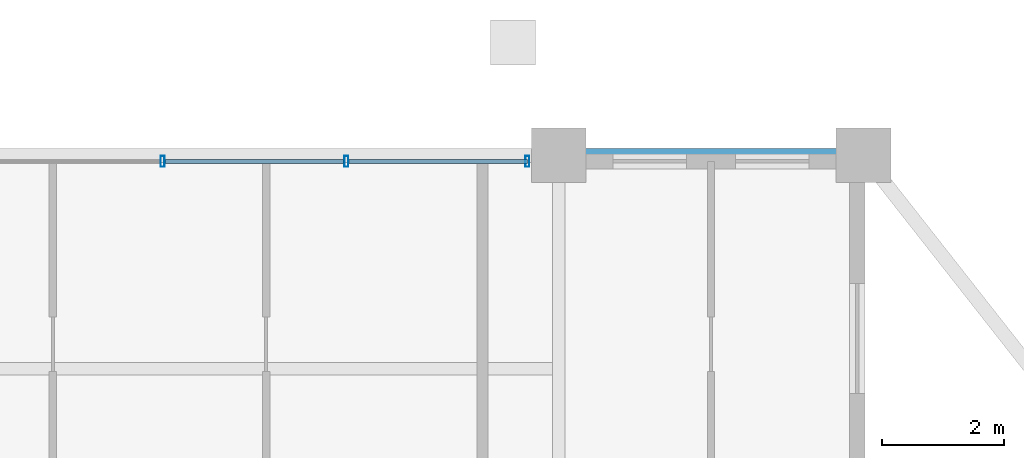
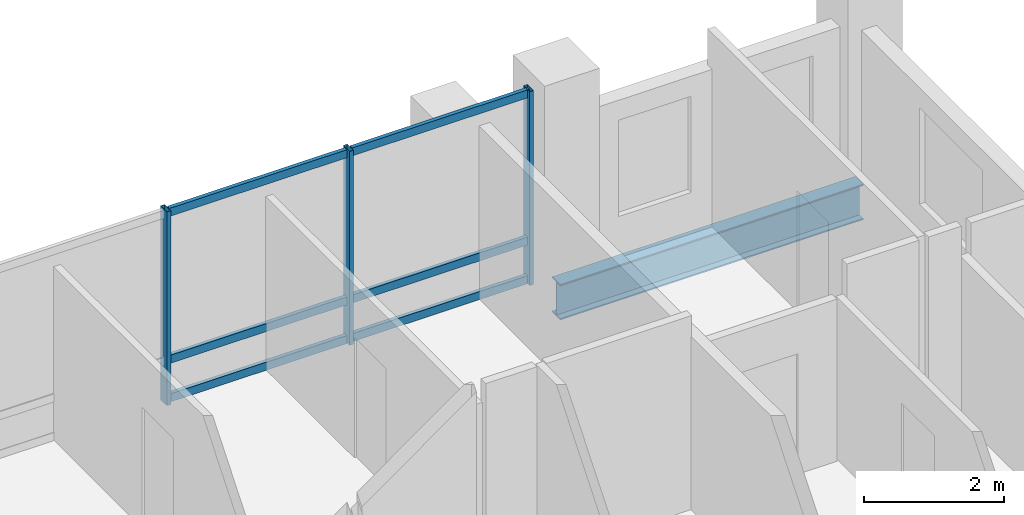
# One storey, part 14 of 21: 9 members, 1 beam, 1 element without a shape of its own.
"""IFC4 building model written with IfcOpenShell, lengths in metres."""

from ifc_helpers import new_model, si_unit, direction, frame, origin, origin_2d, place, context, subcontext, project, spatial, hollow_rectangle, i_section, extrude, material, layer, layer_set, material_profile, profile_set, type_object, element, aggregate, save


model = new_model("IFC4")

# Units and contexts
model_context = context("Model", 3, precision=1e-05, world=origin(), true_north=direction((0.0, 1.0)))
body_context = subcontext(model_context, "Body", "Model", "MODEL_VIEW")
ifc_project = project(units=[si_unit("LENGTHUNIT", "METRE"), si_unit("AREAUNIT", "SQUARE_METRE"), si_unit("VOLUMEUNIT", "CUBIC_METRE"), si_unit("PLANEANGLEUNIT", "RADIAN"), si_unit("MASSUNIT", "GRAM", prefix="KILO")], contexts=[model_context])

# Site, building, storey
site_placement = place(None, origin())
site = spatial("IfcSite", under=ifc_project, at=site_placement, CompositionType="ELEMENT")
building_placement = place(site_placement, origin())
building = spatial("IfcBuilding", under=site, at=building_placement, Name="Barlavira Tower and Art Museum", CompositionType="ELEMENT")
storey_placement = place(building_placement, frame((0.0, 0.0, 276.300048828125)))
storey = spatial("IfcBuildingStorey", under=building, at=storey_placement, Name="L72", CompositionType="ELEMENT", Elevation=276.300048828125)

# Curtain wall, members
ifc_material_1 = material(Name="Low-iron coastal laminated glass", Category="glass")
ifc_layer = layer(ifc_material_1, 0.2099609375, Name="Low-iron coastal laminated glass")
ifc_layer_set = layer_set([ifc_layer], Name="Low-iron coastal laminated glass")
curtain_wall_type = type_object("IfcCurtainWallType", Name="Pale-Metal Unitised Curtain Wall Zone 4", PredefinedType="NOTDEFINED", material=ifc_layer_set)
curtain_wall_placement = place(storey_placement, origin())
curtain_wall = element("IfcCurtainWall", 1, at=curtain_wall_placement, inside=storey, type_object=curtain_wall_type, Name="L72 Curtain Wall CW4-L72-N-B2", PredefinedType="NOTDEFINED")
ifc_material_2 = material(Name="Pale anodised aluminium", Category="aluminium")
ifc_material_profile_1 = material_profile(ifc_material_2, hollow_rectangle(XDim=0.06494140625, YDim=0.179931640625, WallThickness=0.00390625, at=origin_2d()), Name="ALU-MULL 65x180x4")
ifc_profile_set_1 = profile_set([ifc_material_profile_1], Name="Pale anodised aluminium")
member_type_1 = type_object("IfcMemberType", Name="Curtain Wall Pale-Metal Mullion 65x180", PredefinedType="MULLION", material=ifc_profile_set_1)
member_1_placement = place(storey_placement, frame((5.985107421875, 19.89990234375, 0.0), z_axis=(0.0, 0.0, 1.0), x_axis=(-1.0, 0.0, 0.0)))
member_1 = element("IfcMember", 2, at=member_1_placement, type_object=member_type_1, Name="CW4-L72-N-B2 Mullion 0", PredefinedType="MULLION", context=body_context, shape_type="SweptSolid", body=[
    extrude(hollow_rectangle(XDim=0.06494140625, YDim=0.179931640625, WallThickness=0.00390625, at=origin_2d()), origin(), (0.0, 0.0, 1.0), 3.3798828125),
])
member_2_placement = place(storey_placement, frame((3.014892578125, 19.89990234375, 0.0), z_axis=(0.0, 0.0, 1.0), x_axis=(-1.0, 0.0, 0.0)))
member_2 = element("IfcMember", 3, at=member_2_placement, type_object=member_type_1, Name="CW4-L72-N-B2 Mullion 1", PredefinedType="MULLION", context=body_context, shape_type="SweptSolid", body=[
    extrude(hollow_rectangle(XDim=0.06494140625, YDim=0.179931640625, WallThickness=0.00390625, at=origin_2d()), origin(), (0.0, 0.0, 1.0), 3.3798828125),
])
member_3_placement = place(storey_placement, frame((0.0, 19.89990234375, 0.0), z_axis=(0.0, 0.0, 1.0), x_axis=(-1.0, 0.0, 0.0)))
member_3 = element("IfcMember", 4, at=member_3_placement, type_object=member_type_1, Name="CW4-L72-N-B2 Mullion 2", PredefinedType="MULLION", context=body_context, shape_type="SweptSolid", body=[
    extrude(hollow_rectangle(XDim=0.06494140625, YDim=0.179931640625, WallThickness=0.00390625, at=origin_2d()), origin(), (0.0, 0.0, 1.0), 3.3798828125),
])
ifc_material_profile_2 = material_profile(ifc_material_2, hollow_rectangle(XDim=0.06494140625, YDim=0.139892578125, WallThickness=0.00390625, at=origin_2d()), Name="ALU-TRAN 65x140x4")
ifc_profile_set_2 = profile_set([ifc_material_profile_2], Name="Pale anodised aluminium")
member_type_2 = type_object("IfcMemberType", Name="Curtain Wall Pale-Metal Transom 65x140", PredefinedType="USERDEFINED", material=ifc_profile_set_2)
member_4_placement = place(storey_placement, frame((5.985107421875, 19.89990234375, 0.070068359375), z_axis=(-1.0, 0.0, 0.0), x_axis=(0.0, -1.0, 0.0)))
member_4 = element("IfcMember", 5, at=member_4_placement, type_object=member_type_2, Name="CW4-L72-N-B2 Transom 0.1", ObjectType="TRANSOM", PredefinedType="USERDEFINED", context=body_context, shape_type="SweptSolid", body=[
    extrude(hollow_rectangle(XDim=0.06494140625, YDim=0.139892578125, WallThickness=0.00390625, at=origin_2d()), origin(), (0.0, 0.0, 1.0), 2.925048828125),
])
member_5_placement = place(storey_placement, frame((5.985107421875, 19.89990234375, 0.743896484375), z_axis=(-1.0, 0.0, 0.0), x_axis=(0.0, -1.0, 0.0)))
member_5 = element("IfcMember", 6, at=member_5_placement, type_object=member_type_2, Name="CW4-L72-N-B2 Transom 0.2", ObjectType="TRANSOM", PredefinedType="USERDEFINED", context=body_context, shape_type="SweptSolid", body=[
    extrude(hollow_rectangle(XDim=0.06494140625, YDim=0.139892578125, WallThickness=0.00390625, at=origin_2d()), origin(), (0.0, 0.0, 1.0), 2.925048828125),
])
member_6_placement = place(storey_placement, frame((5.985107421875, 19.89990234375, 3.31005859375), z_axis=(-1.0, 0.0, 0.0), x_axis=(0.0, -1.0, 0.0)))
member_6 = element("IfcMember", 7, at=member_6_placement, type_object=member_type_2, Name="CW4-L72-N-B2 Transom 0.3", ObjectType="TRANSOM", PredefinedType="USERDEFINED", context=body_context, shape_type="SweptSolid", body=[
    extrude(hollow_rectangle(XDim=0.06494140625, YDim=0.139892578125, WallThickness=0.00390625, at=origin_2d()), origin(), (0.0, 0.0, 1.0), 2.925048828125),
])
member_7_placement = place(storey_placement, frame((2.969970703125, 19.89990234375, 0.070068359375), z_axis=(-1.0, 0.0, 0.0), x_axis=(0.0, -1.0, 0.0)))
member_7 = element("IfcMember", 8, at=member_7_placement, type_object=member_type_2, Name="CW4-L72-N-B2 Transom 1.1", ObjectType="TRANSOM", PredefinedType="USERDEFINED", context=body_context, shape_type="SweptSolid", body=[
    extrude(hollow_rectangle(XDim=0.06494140625, YDim=0.139892578125, WallThickness=0.00390625, at=origin_2d()), origin(), (0.0, 0.0, 1.0), 2.925048828125),
])
member_8_placement = place(storey_placement, frame((2.969970703125, 19.89990234375, 0.743896484375), z_axis=(-1.0, 0.0, 0.0), x_axis=(0.0, -1.0, 0.0)))
member_8 = element("IfcMember", 9, at=member_8_placement, type_object=member_type_2, Name="CW4-L72-N-B2 Transom 1.2", ObjectType="TRANSOM", PredefinedType="USERDEFINED", context=body_context, shape_type="SweptSolid", body=[
    extrude(hollow_rectangle(XDim=0.06494140625, YDim=0.139892578125, WallThickness=0.00390625, at=origin_2d()), origin(), (0.0, 0.0, 1.0), 2.925048828125),
])
member_9_placement = place(storey_placement, frame((2.969970703125, 19.89990234375, 3.31005859375), z_axis=(-1.0, 0.0, 0.0), x_axis=(0.0, -1.0, 0.0)))
member_9 = element("IfcMember", 10, at=member_9_placement, type_object=member_type_2, Name="CW4-L72-N-B2 Transom 1.3", ObjectType="TRANSOM", PredefinedType="USERDEFINED", context=body_context, shape_type="SweptSolid", body=[
    extrude(hollow_rectangle(XDim=0.06494140625, YDim=0.139892578125, WallThickness=0.00390625, at=origin_2d()), origin(), (0.0, 0.0, 1.0), 2.925048828125),
])
aggregate(curtain_wall, [member_1, member_2, member_3, member_4, member_5, member_6, member_7, member_8, member_9])

# Beam
ifc_material_3 = material(Name="Steel S355", Category="steel")
ifc_material_profile_3 = material_profile(ifc_material_3, i_section(OverallWidth=0.22998046875, OverallDepth=0.616943359375, WebThickness=0.01318359375, FlangeThickness=0.022216796875, at=origin_2d()), Name="W610x140.0")
ifc_profile_set_3 = profile_set([ifc_material_profile_3], Name="Steel S355")
beam_type = type_object("IfcBeamType", Name="Upper Shaft Spandrel Edge Beam W610x140 Steel S355", PredefinedType="SPANDREL", material=ifc_profile_set_3)
beam_placement = place(storey_placement, frame((6.5, 20.0, -0.528564453125), z_axis=(1.0, 0.0, 0.0), x_axis=(0.0, 1.0, 0.0)))
element("IfcBeam", 11, at=beam_placement, inside=storey, type_object=beam_type, Name="L72 Spandrel 9", PredefinedType="SPANDREL", context=body_context, shape_type="SweptSolid", body=[
    extrude(i_section(OverallWidth=0.22998046875, OverallDepth=0.616943359375, WebThickness=0.01318359375, FlangeThickness=0.022216796875, at=origin_2d()), origin(), (0.0, 0.0, 1.0), 5.0),
])

save(model, "model.ifc")
